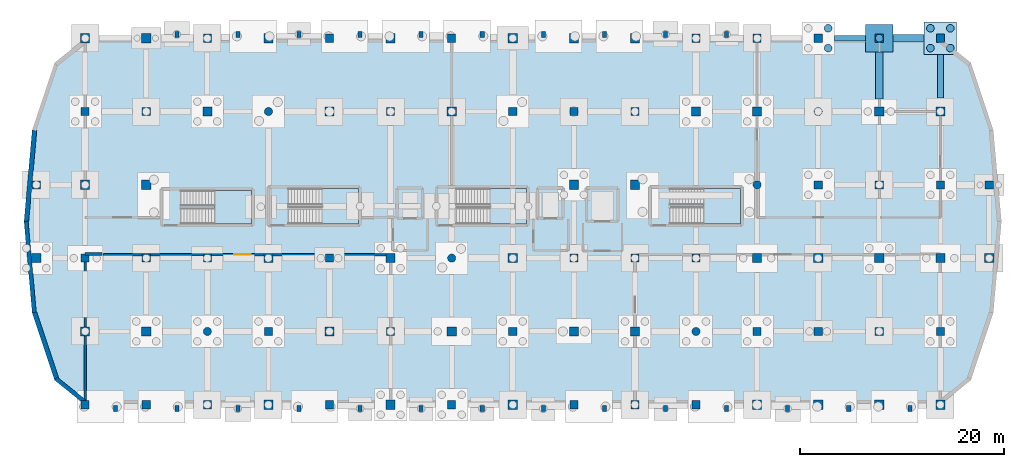
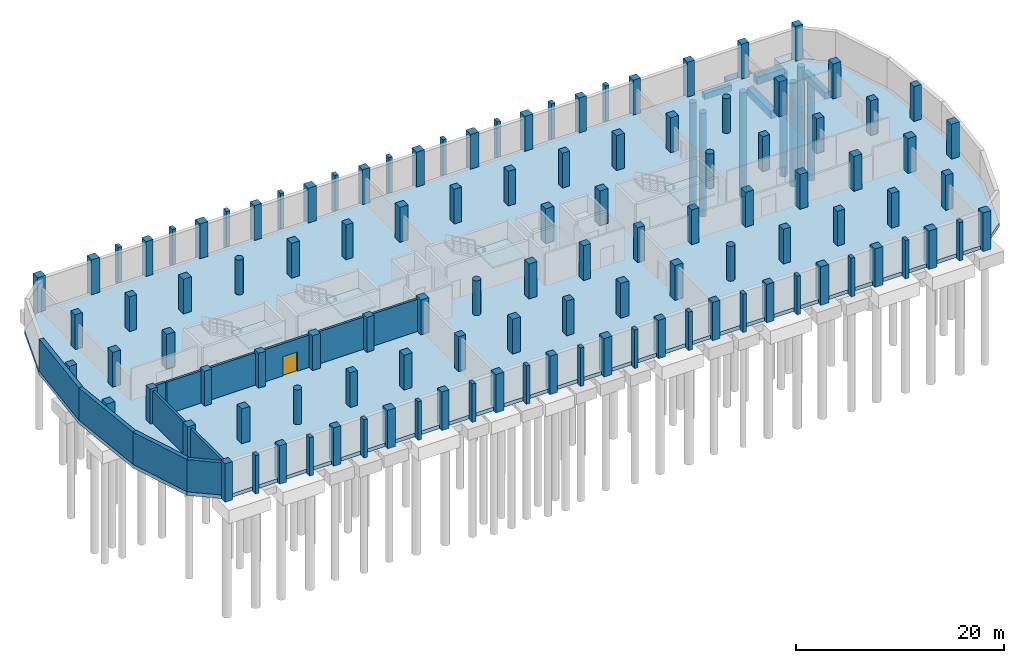
# One storey, part 5 of 11: 111 columns, 7 piles, 7 walls, 6 footings, 5 slabs, 1 door, 1 opening, 4 elements without a shape of their own.
"""IFC4 building model written with IfcOpenShell, lengths in metres."""

from ifc_helpers import new_model, si_unit, direction, frame, frame_2d, origin, origin_2d, place, context, subcontext, project, spatial, polyline, rectangle, circle, outline, extrude, material, layer, layer_set, material_profile, profile_set, type_object, element, fill, aggregate, save


model = new_model("IFC4")

# Units and contexts
model_context = context("Model", 3, precision=1e-05, world=origin(), true_north=direction((0.0, 1.0)))
body_context = subcontext(model_context, "Body", "Model", "MODEL_VIEW")
ifc_project = project(units=[si_unit("LENGTHUNIT", "METRE"), si_unit("AREAUNIT", "SQUARE_METRE"), si_unit("VOLUMEUNIT", "CUBIC_METRE"), si_unit("PLANEANGLEUNIT", "RADIAN"), si_unit("MASSUNIT", "GRAM", prefix="KILO")], contexts=[model_context])

# Site, building, storey
site_placement = place(None, origin())
site = spatial("IfcSite", under=ifc_project, at=site_placement, CompositionType="ELEMENT")
building_placement = place(site_placement, origin())
building = spatial("IfcBuilding", under=site, at=building_placement, Name="Dunvalen Ferry Terminal", CompositionType="ELEMENT")
storey_placement = place(building_placement, frame((0.0, 0.0, -4.080078125)))
storey = spatial("IfcBuildingStorey", under=building, at=storey_placement, Name="B1", CompositionType="ELEMENT", Elevation=-4.080078125)

# Footings
ifc_material_1 = material(Name="Concrete C40/50", Category="concrete")
ifc_material_profile_1 = material_profile(ifc_material_1, rectangle(XDim=0.5, YDim=0.699951171875, at=origin_2d()), Name="Concrete C40/50")
ifc_profile_set_1 = profile_set([ifc_material_profile_1], Name="Concrete C40/50")
footing_type_1 = type_object("IfcFootingType", Name="STR-GB-500x700", PredefinedType="FOOTING_BEAM", material=ifc_profile_set_1)
footing_1_placement = place(storey_placement, frame((79.60009765625, 36.0, -0.77001953125), z_axis=(1.0, 0.0, 0.0), x_axis=(0.0, 1.0, 0.0)))
element("IfcFooting", 1, at=footing_1_placement, inside=storey, type_object=footing_type_1, Name="B1 Ground Beam X-079", PredefinedType="FOOTING_BEAM", context=body_context, shape_type="SweptSolid", body=[
    extrude(rectangle(XDim=0.5, YDim=0.699951171875, at=origin_2d()), origin(), (0.0, 0.0, 1.0), 3.0498046875),
])
ifc_material_profile_2 = material_profile(ifc_material_1, rectangle(XDim=0.60009765625, YDim=0.800048828125, at=origin_2d()), Name="Concrete C40/50")
ifc_profile_set_2 = profile_set([ifc_material_profile_2], Name="Concrete C40/50")
footing_type_2 = type_object("IfcFootingType", Name="STR-GB-600x800", PredefinedType="FOOTING_BEAM", material=ifc_profile_set_2)
footing_2_placement = place(storey_placement, frame((90.0, 30.14990234375, -0.81982421875), z_axis=(0.0, 1.0, 0.0), x_axis=(-1.0, 0.0, 0.0)))
element("IfcFooting", 2, at=footing_2_placement, inside=storey, type_object=footing_type_2, Name="B1 Ground Beam Y-129", PredefinedType="FOOTING_BEAM", context=body_context, shape_type="SweptSolid", body=[
    extrude(rectangle(XDim=0.60009765625, YDim=0.800048828125, at=origin_2d()), origin(), (0.0, 0.0, 1.0), 4.25),
])
ifc_material_profile_3 = material_profile(ifc_material_1, rectangle(XDim=0.699951171875, YDim=0.89990234375, at=origin_2d()), Name="Concrete C40/50")
ifc_profile_set_3 = profile_set([ifc_material_profile_3], Name="Concrete C40/50")
footing_type_3 = type_object("IfcFootingType", Name="STR-GB-700x900", PredefinedType="FOOTING_BEAM", material=ifc_profile_set_3)
footing_3_placement = place(storey_placement, frame((85.35009765625, 36.0, -0.869873046875), z_axis=(1.0, 0.0, 0.0), x_axis=(0.0, 1.0, 0.0)))
element("IfcFooting", 3, at=footing_3_placement, inside=storey, type_object=footing_type_3, Name="B1 Ground Beam X-080", PredefinedType="FOOTING_BEAM", context=body_context, shape_type="SweptSolid", body=[
    extrude(rectangle(XDim=0.699951171875, YDim=0.89990234375, at=origin_2d()), origin(), (0.0, 0.0, 1.0), 3.0498046875),
])
footing_4_placement = place(storey_placement, frame((84.0, 30.050048828125, -0.869873046875), z_axis=(0.0, 1.0, 0.0), x_axis=(-1.0, 0.0, 0.0)))
element("IfcFooting", 4, at=footing_4_placement, inside=storey, type_object=footing_type_3, Name="B1 Ground Beam Y-124", PredefinedType="FOOTING_BEAM", context=body_context, shape_type="SweptSolid", body=[
    extrude(rectangle(XDim=0.699951171875, YDim=0.89990234375, at=origin_2d()), origin(), (0.0, 0.0, 1.0), 4.599853515625),
])
footing_type_4 = type_object("IfcFootingType", Name="STR-PC-06", PredefinedType="PILE_CAP", material=ifc_material_1)
footing_5_placement = place(storey_placement, frame((84.0, 36.0, -1.81982421875), z_axis=(0.0, 0.0, 1.0), x_axis=(1.0, 0.0, 0.0)))
element("IfcFooting", 5, at=footing_5_placement, inside=storey, type_object=footing_type_4, Name="B1 Pile Cap 094", PredefinedType="PILE_CAP", context=body_context, shape_type="SweptSolid", body=[
    extrude(rectangle(XDim=2.699951171875, YDim=2.699951171875, at=origin_2d()), origin(), (0.0, 0.0, 1.0), 1.39990234375),
])
footing_type_5 = type_object("IfcFootingType", Name="STR-PC-09", PredefinedType="PILE_CAP", material=ifc_material_1)
footing_6_placement = place(storey_placement, frame((90.0, 36.0, -1.8701171875), z_axis=(0.0, 0.0, 1.0), x_axis=(1.0, 0.0, 0.0)))
element("IfcFooting", 6, at=footing_6_placement, inside=storey, type_object=footing_type_5, Name="B1 Pile Cap 100", PredefinedType="PILE_CAP", context=body_context, shape_type="SweptSolid", body=[
    extrude(rectangle(XDim=3.199951171875, YDim=3.199951171875, at=origin_2d()), origin(), (0.0, 0.0, 1.0), 1.449951171875),
])

# Piles
ifc_material_profile_4 = material_profile(ifc_material_1, circle(Radius=0.375, at=origin_2d()), Name="Concrete C40/50")
ifc_profile_set_4 = profile_set([ifc_material_profile_4], Name="Concrete C40/50")
pile_type = type_object("IfcPileType", Name="STR-PILE-P750", PredefinedType="BORED", material=ifc_profile_set_4)
for number, where, z_axis, x_axis, name in (
    (7, (78.97509765625, 35.02490234375, -1.77001953125), (0.0, 0.0, -1.0), (1.0, 0.0, 0.0), "B1 Bored Pile 088.2"),
    (8, (78.97509765625, 36.97509765625, -1.77001953125), (0.0, 0.0, -1.0), (1.0, 0.0, 0.0), "B1 Bored Pile 088.4"),
):
    element("IfcPile", number, at=place(storey_placement, frame(where, z_axis=z_axis, x_axis=x_axis)), inside=storey, type_object=pile_type, Name=name, PredefinedType="BORED", context=body_context, shape_type="SweptSolid", body=[
        extrude(circle(Radius=0.375, at=origin_2d()), origin(), (0.0, 0.0, 1.0), 12.14990234375),
    ])
pile_placement = place(storey_placement, frame((84.0, 36.0, -1.719970703125), z_axis=(0.0, 0.0, -1.0), x_axis=(1.0, 0.0, 0.0)))
element("IfcPile", 9, at=pile_placement, inside=storey, type_object=pile_type, Name="B1 Bored Pile 094.1", PredefinedType="BORED", context=body_context, shape_type="SweptSolid", body=[
    extrude(circle(Radius=0.375, at=origin_2d()), origin(), (0.0, 0.0, 1.0), 12.199951171875),
])
for number, where, z_axis, x_axis, name in (
    (10, (89.02490234375, 35.02490234375, -1.77001953125), (0.0, 0.0, -1.0), (1.0, 0.0, 0.0), "B1 Bored Pile 100.1"),
    (11, (90.97509765625, 35.02490234375, -1.77001953125), (0.0, 0.0, -1.0), (1.0, 0.0, 0.0), "B1 Bored Pile 100.2"),
    (12, (89.02490234375, 36.97509765625, -1.77001953125), (0.0, 0.0, -1.0), (1.0, 0.0, 0.0), "B1 Bored Pile 100.3"),
    (13, (90.97509765625, 36.97509765625, -1.77001953125), (0.0, 0.0, -1.0), (1.0, 0.0, 0.0), "B1 Bored Pile 100.4"),
):
    element("IfcPile", number, at=place(storey_placement, frame(where, z_axis=z_axis, x_axis=x_axis)), inside=storey, type_object=pile_type, Name=name, PredefinedType="BORED", context=body_context, shape_type="SweptSolid", body=[
        extrude(circle(Radius=0.375, at=origin_2d()), origin(), (0.0, 0.0, 1.0), 12.14990234375),
    ])

# Columns
ifc_material_profile_5 = material_profile(ifc_material_1, circle(Radius=0.39990234375, at=origin_2d()), Name="Concrete C40/50")
ifc_profile_set_5 = profile_set([ifc_material_profile_5], Name="Concrete C40/50")
column_type_1 = type_object("IfcColumnType", Name="STR-COL-D800", PredefinedType="COLUMN", material=ifc_profile_set_5)
for number, where, z_axis, x_axis, name in (
    (14, (18.0, 7.199951171875, -0.419921875), (0.0, 0.0, 1.0), (1.0, 0.0, 0.0), "B1 Maritime Wing Column 014"),
    (15, (24.0, 28.800048828125, -0.419921875), (0.0, 0.0, 1.0), (1.0, 0.0, 0.0), "B1 Maritime Wing Column 021"),
    (16, (42.0, 14.39990234375, -0.419921875), (0.0, 0.0, 1.0), (1.0, 0.0, 0.0), "B1 Maritime Wing Column 035"),
    (17, (66.0, 7.199951171875, -0.419921875), (0.0, 0.0, 1.0), (1.0, 0.0, 0.0), "B1 Maritime Wing Column 056"),
    (18, (72.0, 21.60009765625, -0.419921875), (0.0, 0.0, 1.0), (1.0, 0.0, 0.0), "B1 Maritime Wing Column 063"),
    (19, (78.0, 28.800048828125, -0.419921875), (0.0, 0.0, 1.0), (1.0, 0.0, 0.0), "B1 Maritime Wing Column 070"),
):
    element("IfcColumn", number, at=place(storey_placement, frame(where, z_axis=z_axis, x_axis=x_axis)), inside=storey, type_object=column_type_1, Name=name, PredefinedType="COLUMN", context=body_context, shape_type="SweptSolid", body=[
        extrude(circle(Radius=0.39990234375, at=origin_2d()), origin(), (0.0, 0.0, 1.0), 4.5),
    ])
ifc_material_profile_6 = material_profile(ifc_material_1, rectangle(XDim=0.800048828125, YDim=0.800048828125, at=origin_2d()), Name="Concrete C40/50")
ifc_profile_set_6 = profile_set([ifc_material_profile_6], Name="Concrete C40/50")
column_type_2 = type_object("IfcColumnType", Name="STR-COL-RC800", PredefinedType="COLUMN", material=ifc_profile_set_6)
for number, where, z_axis, x_axis, name in (
    (20, (6.0, 0.0, -0.419921875), (0.0, 0.0, 1.0), (1.0, 0.0, 0.0), "B1 Maritime Wing Column 001"),
    (21, (6.0, 14.39990234375, -0.419921875), (0.0, 0.0, 1.0), (1.0, 0.0, 0.0), "B1 Maritime Wing Column 003"),
    (22, (6.0, 28.800048828125, -0.419921875), (0.0, 0.0, 1.0), (1.0, 0.0, 0.0), "B1 Maritime Wing Column 005"),
    (23, (12.0, 0.0, -0.419921875), (0.0, 0.0, 1.0), (1.0, 0.0, 0.0), "B1 Maritime Wing Column 007"),
    (24, (12.0, 14.39990234375, -0.419921875), (0.0, 0.0, 1.0), (1.0, 0.0, 0.0), "B1 Maritime Wing Column 009"),
    (25, (12.0, 28.800048828125, -0.419921875), (0.0, 0.0, 1.0), (1.0, 0.0, 0.0), "B1 Maritime Wing Column 011"),
    (26, (18.0, 0.0, -0.419921875), (0.0, 0.0, 1.0), (1.0, 0.0, 0.0), "B1 Maritime Wing Column 013"),
    (27, (18.0, 14.39990234375, -0.419921875), (0.0, 0.0, 1.0), (1.0, 0.0, 0.0), "B1 Maritime Wing Column 015"),
    (28, (18.0, 36.0, -0.419921875), (0.0, 0.0, 1.0), (1.0, 0.0, 0.0), "B1 Maritime Wing Column 017"),
    (29, (24.0, 7.199951171875, -0.419921875), (0.0, 0.0, 1.0), (1.0, 0.0, 0.0), "B1 Maritime Wing Column 019"),
    (30, (30.0, 0.0, -0.419921875), (0.0, 0.0, 1.0), (1.0, 0.0, 0.0), "B1 Maritime Wing Column 023"),
    (31, (30.0, 14.39990234375, -0.419921875), (0.0, 0.0, 1.0), (1.0, 0.0, 0.0), "B1 Maritime Wing Column 025"),
    (32, (30.0, 36.0, -0.419921875), (0.0, 0.0, 1.0), (1.0, 0.0, 0.0), "B1 Maritime Wing Column 027"),
    (33, (36.0, 7.199951171875, -0.419921875), (0.0, 0.0, 1.0), (1.0, 0.0, 0.0), "B1 Maritime Wing Column 029"),
    (34, (36.0, 28.800048828125, -0.419921875), (0.0, 0.0, 1.0), (1.0, 0.0, 0.0), "B1 Maritime Wing Column 031"),
    (35, (42.0, 0.0, -0.419921875), (0.0, 0.0, 1.0), (1.0, 0.0, 0.0), "B1 Maritime Wing Column 033"),
    (36, (42.0, 36.0, -0.419921875), (0.0, 0.0, 1.0), (1.0, 0.0, 0.0), "B1 Maritime Wing Column 037"),
    (37, (48.0, 7.199951171875, -0.419921875), (0.0, 0.0, 1.0), (1.0, 0.0, 0.0), "B1 Maritime Wing Column 039"),
    (38, (48.0, 28.800048828125, -0.419921875), (0.0, 0.0, 1.0), (1.0, 0.0, 0.0), "B1 Maritime Wing Column 041"),
    (39, (54.0, 0.0, -0.419921875), (0.0, 0.0, 1.0), (1.0, 0.0, 0.0), "B1 Maritime Wing Column 043"),
    (40, (54.0, 14.39990234375, -0.419921875), (0.0, 0.0, 1.0), (1.0, 0.0, 0.0), "B1 Maritime Wing Column 045"),
    (41, (54.0, 28.800048828125, -0.419921875), (0.0, 0.0, 1.0), (1.0, 0.0, 0.0), "B1 Maritime Wing Column 047"),
    (42, (60.0, 0.0, -0.419921875), (0.0, 0.0, 1.0), (1.0, 0.0, 0.0), "B1 Maritime Wing Column 049"),
    (43, (60.0, 14.39990234375, -0.419921875), (0.0, 0.0, 1.0), (1.0, 0.0, 0.0), "B1 Maritime Wing Column 051"),
    (44, (60.0, 28.800048828125, -0.419921875), (0.0, 0.0, 1.0), (1.0, 0.0, 0.0), "B1 Maritime Wing Column 053"),
    (45, (66.0, 0.0, -0.419921875), (0.0, 0.0, 1.0), (1.0, 0.0, 0.0), "B1 Maritime Wing Column 055"),
    (46, (66.0, 14.39990234375, -0.419921875), (0.0, 0.0, 1.0), (1.0, 0.0, 0.0), "B1 Maritime Wing Column 057"),
    (47, (66.0, 36.0, -0.419921875), (0.0, 0.0, 1.0), (1.0, 0.0, 0.0), "B1 Maritime Wing Column 059"),
    (48, (72.0, 7.199951171875, -0.419921875), (0.0, 0.0, 1.0), (1.0, 0.0, 0.0), "B1 Maritime Wing Column 061"),
    (49, (72.0, 36.0, -0.419921875), (0.0, 0.0, 1.0), (1.0, 0.0, 0.0), "B1 Maritime Wing Column 065"),
    (50, (78.0, 7.199951171875, -0.419921875), (0.0, 0.0, 1.0), (1.0, 0.0, 0.0), "B1 Maritime Wing Column 067"),
    (51, (78.0, 21.60009765625, -0.419921875), (0.0, 0.0, 1.0), (1.0, 0.0, 0.0), "B1 Maritime Wing Column 069"),
    (52, (78.0, 36.0, -0.419921875), (0.0, 0.0, 1.0), (1.0, 0.0, 0.0), "B1 Maritime Wing Column 071"),
    (53, (84.0, 7.199951171875, -0.419921875), (0.0, 0.0, 1.0), (1.0, 0.0, 0.0), "B1 Maritime Wing Column 073"),
    (54, (84.0, 21.60009765625, -0.419921875), (0.0, 0.0, 1.0), (1.0, 0.0, 0.0), "B1 Maritime Wing Column 075"),
    (55, (84.0, 36.0, -0.419921875), (0.0, 0.0, 1.0), (1.0, 0.0, 0.0), "B1 Maritime Wing Column 077"),
    (56, (90.0, 7.199951171875, -0.419921875), (0.0, 0.0, 1.0), (1.0, 0.0, 0.0), "B1 Maritime Wing Column 079"),
    (57, (90.0, 21.60009765625, -0.419921875), (0.0, 0.0, 1.0), (1.0, 0.0, 0.0), "B1 Maritime Wing Column 081"),
    (58, (90.0, 36.0, -0.419921875), (0.0, 0.0, 1.0), (1.0, 0.0, 0.0), "B1 Maritime Wing Column 083"),
    (59, (1.199951171875, 21.60009765625, -0.419921875), (0.0, 0.0, 1.0), (1.0, 0.0, 0.0), "B1 Maritime Wing Column 085"),
    (60, (94.800048828125, 21.60009765625, -0.419921875), (0.0, 0.0, 1.0), (1.0, 0.0, 0.0), "B1 Maritime Wing Column 087"),
):
    element("IfcColumn", number, at=place(storey_placement, frame(where, z_axis=z_axis, x_axis=x_axis)), inside=storey, type_object=column_type_2, Name=name, PredefinedType="COLUMN", context=body_context, shape_type="SweptSolid", body=[
        extrude(rectangle(XDim=0.800048828125, YDim=0.800048828125, at=origin_2d()), origin(), (0.0, 0.0, 1.0), 4.5),
    ])
ifc_material_profile_7 = material_profile(ifc_material_1, rectangle(XDim=0.89990234375, YDim=0.89990234375, at=origin_2d()), Name="Concrete C40/50")
ifc_profile_set_7 = profile_set([ifc_material_profile_7], Name="Concrete C40/50")
column_type_3 = type_object("IfcColumnType", Name="STR-COL-RC900", PredefinedType="COLUMN", material=ifc_profile_set_7)
for number, where, z_axis, x_axis, name in (
    (61, (6.0, 7.199951171875, -0.419921875), (0.0, 0.0, 1.0), (1.0, 0.0, 0.0), "B1 Maritime Wing Column 002"),
    (62, (6.0, 21.60009765625, -0.419921875), (0.0, 0.0, 1.0), (1.0, 0.0, 0.0), "B1 Maritime Wing Column 004"),
    (63, (6.0, 36.0, -0.419921875), (0.0, 0.0, 1.0), (1.0, 0.0, 0.0), "B1 Maritime Wing Column 006"),
    (64, (12.0, 7.199951171875, -0.419921875), (0.0, 0.0, 1.0), (1.0, 0.0, 0.0), "B1 Maritime Wing Column 008"),
    (65, (12.0, 21.60009765625, -0.419921875), (0.0, 0.0, 1.0), (1.0, 0.0, 0.0), "B1 Maritime Wing Column 010"),
    (66, (12.0, 36.0, -0.419921875), (0.0, 0.0, 1.0), (1.0, 0.0, 0.0), "B1 Maritime Wing Column 012"),
    (67, (18.0, 28.800048828125, -0.419921875), (0.0, 0.0, 1.0), (1.0, 0.0, 0.0), "B1 Maritime Wing Column 016"),
    (68, (24.0, 0.0, -0.419921875), (0.0, 0.0, 1.0), (1.0, 0.0, 0.0), "B1 Maritime Wing Column 018"),
    (69, (24.0, 14.39990234375, -0.419921875), (0.0, 0.0, 1.0), (1.0, 0.0, 0.0), "B1 Maritime Wing Column 020"),
    (70, (24.0, 36.0, -0.419921875), (0.0, 0.0, 1.0), (1.0, 0.0, 0.0), "B1 Maritime Wing Column 022"),
    (71, (30.0, 7.199951171875, -0.419921875), (0.0, 0.0, 1.0), (1.0, 0.0, 0.0), "B1 Maritime Wing Column 024"),
    (72, (30.0, 28.800048828125, -0.419921875), (0.0, 0.0, 1.0), (1.0, 0.0, 0.0), "B1 Maritime Wing Column 026"),
    (73, (36.0, 0.0, -0.419921875), (0.0, 0.0, 1.0), (1.0, 0.0, 0.0), "B1 Maritime Wing Column 028"),
    (74, (36.0, 14.39990234375, -0.419921875), (0.0, 0.0, 1.0), (1.0, 0.0, 0.0), "B1 Maritime Wing Column 030"),
    (75, (36.0, 36.0, -0.419921875), (0.0, 0.0, 1.0), (1.0, 0.0, 0.0), "B1 Maritime Wing Column 032"),
    (76, (42.0, 7.199951171875, -0.419921875), (0.0, 0.0, 1.0), (1.0, 0.0, 0.0), "B1 Maritime Wing Column 034"),
    (77, (42.0, 28.800048828125, -0.419921875), (0.0, 0.0, 1.0), (1.0, 0.0, 0.0), "B1 Maritime Wing Column 036"),
    (78, (48.0, 0.0, -0.419921875), (0.0, 0.0, 1.0), (1.0, 0.0, 0.0), "B1 Maritime Wing Column 038"),
    (79, (48.0, 14.39990234375, -0.419921875), (0.0, 0.0, 1.0), (1.0, 0.0, 0.0), "B1 Maritime Wing Column 040"),
    (80, (48.0, 36.0, -0.419921875), (0.0, 0.0, 1.0), (1.0, 0.0, 0.0), "B1 Maritime Wing Column 042"),
    (81, (54.0, 7.199951171875, -0.419921875), (0.0, 0.0, 1.0), (1.0, 0.0, 0.0), "B1 Maritime Wing Column 044"),
    (82, (54.0, 21.60009765625, -0.419921875), (0.0, 0.0, 1.0), (1.0, 0.0, 0.0), "B1 Maritime Wing Column 046"),
    (83, (54.0, 36.0, -0.419921875), (0.0, 0.0, 1.0), (1.0, 0.0, 0.0), "B1 Maritime Wing Column 048"),
    (84, (60.0, 7.199951171875, -0.419921875), (0.0, 0.0, 1.0), (1.0, 0.0, 0.0), "B1 Maritime Wing Column 050"),
    (85, (60.0, 21.60009765625, -0.419921875), (0.0, 0.0, 1.0), (1.0, 0.0, 0.0), "B1 Maritime Wing Column 052"),
    (86, (60.0, 36.0, -0.419921875), (0.0, 0.0, 1.0), (1.0, 0.0, 0.0), "B1 Maritime Wing Column 054"),
    (87, (66.0, 28.800048828125, -0.419921875), (0.0, 0.0, 1.0), (1.0, 0.0, 0.0), "B1 Maritime Wing Column 058"),
    (88, (72.0, 0.0, -0.419921875), (0.0, 0.0, 1.0), (1.0, 0.0, 0.0), "B1 Maritime Wing Column 060"),
    (89, (72.0, 14.39990234375, -0.419921875), (0.0, 0.0, 1.0), (1.0, 0.0, 0.0), "B1 Maritime Wing Column 062"),
    (90, (72.0, 28.800048828125, -0.419921875), (0.0, 0.0, 1.0), (1.0, 0.0, 0.0), "B1 Maritime Wing Column 064"),
    (91, (78.0, 0.0, -0.419921875), (0.0, 0.0, 1.0), (1.0, 0.0, 0.0), "B1 Maritime Wing Column 066"),
    (92, (78.0, 14.39990234375, -0.419921875), (0.0, 0.0, 1.0), (1.0, 0.0, 0.0), "B1 Maritime Wing Column 068"),
    (93, (84.0, 0.0, -0.419921875), (0.0, 0.0, 1.0), (1.0, 0.0, 0.0), "B1 Maritime Wing Column 072"),
    (94, (84.0, 14.39990234375, -0.419921875), (0.0, 0.0, 1.0), (1.0, 0.0, 0.0), "B1 Maritime Wing Column 074"),
    (95, (84.0, 28.800048828125, -0.419921875), (0.0, 0.0, 1.0), (1.0, 0.0, 0.0), "B1 Maritime Wing Column 076"),
    (96, (90.0, 0.0, -0.419921875), (0.0, 0.0, 1.0), (1.0, 0.0, 0.0), "B1 Maritime Wing Column 078"),
    (97, (90.0, 14.39990234375, -0.419921875), (0.0, 0.0, 1.0), (1.0, 0.0, 0.0), "B1 Maritime Wing Column 080"),
    (98, (90.0, 28.800048828125, -0.419921875), (0.0, 0.0, 1.0), (1.0, 0.0, 0.0), "B1 Maritime Wing Column 082"),
    (99, (1.199951171875, 14.39990234375, -0.419921875), (0.0, 0.0, 1.0), (1.0, 0.0, 0.0), "B1 Maritime Wing Column 084"),
    (100, (94.800048828125, 14.39990234375, -0.419921875), (0.0, 0.0, 1.0), (1.0, 0.0, 0.0), "B1 Maritime Wing Column 086"),
):
    element("IfcColumn", number, at=place(storey_placement, frame(where, z_axis=z_axis, x_axis=x_axis)), inside=storey, type_object=column_type_3, Name=name, PredefinedType="COLUMN", context=body_context, shape_type="SweptSolid", body=[
        extrude(rectangle(XDim=0.89990234375, YDim=0.89990234375, at=origin_2d()), origin(), (0.0, 0.0, 1.0), 4.5),
    ])
ifc_material_profile_8 = material_profile(ifc_material_1, rectangle(XDim=0.39990234375, YDim=0.60009765625, at=origin_2d()), Name="Concrete C40/50")
ifc_profile_set_8 = profile_set([ifc_material_profile_8], Name="Concrete C40/50")
column_type_4 = type_object("IfcColumnType", Name="STR-PIL-400x600", PredefinedType="PILASTER", material=ifc_profile_set_8)
for number, where, z_axis, x_axis, name in (
    (101, (9.0, -0.3798828125, -0.419921875), (0.0, 0.0, 1.0), (1.0, 0.0, 0.0), "B1 South Forecourt Pilaster 01"),
    (102, (15.0, -0.3798828125, -0.419921875), (0.0, 0.0, 1.0), (1.0, 0.0, 0.0), "B1 South Forecourt Pilaster 02"),
    (103, (21.0, -0.3798828125, -0.419921875), (0.0, 0.0, 1.0), (1.0, 0.0, 0.0), "B1 South Forecourt Pilaster 03"),
    (104, (27.0, -0.3798828125, -0.419921875), (0.0, 0.0, 1.0), (1.0, 0.0, 0.0), "B1 South Forecourt Pilaster 04"),
    (105, (33.0, -0.3798828125, -0.419921875), (0.0, 0.0, 1.0), (1.0, 0.0, 0.0), "B1 South Forecourt Pilaster 05"),
    (106, (39.0, -0.3798828125, -0.419921875), (0.0, 0.0, 1.0), (1.0, 0.0, 0.0), "B1 South Forecourt Pilaster 06"),
    (107, (45.0, -0.3798828125, -0.419921875), (0.0, 0.0, 1.0), (1.0, 0.0, 0.0), "B1 South Forecourt Pilaster 07"),
    (108, (51.0, -0.3798828125, -0.419921875), (0.0, 0.0, 1.0), (1.0, 0.0, 0.0), "B1 South Forecourt Pilaster 08"),
    (109, (57.0, -0.3798828125, -0.419921875), (0.0, 0.0, 1.0), (1.0, 0.0, 0.0), "B1 South Forecourt Pilaster 09"),
    (110, (63.0, -0.3798828125, -0.419921875), (0.0, 0.0, 1.0), (1.0, 0.0, 0.0), "B1 South Forecourt Pilaster 10"),
    (111, (69.0, -0.3798828125, -0.419921875), (0.0, 0.0, 1.0), (1.0, 0.0, 0.0), "B1 South Forecourt Pilaster 11"),
    (112, (75.0, -0.3798828125, -0.419921875), (0.0, 0.0, 1.0), (1.0, 0.0, 0.0), "B1 South Forecourt Pilaster 12"),
    (113, (81.0, -0.3798828125, -0.419921875), (0.0, 0.0, 1.0), (1.0, 0.0, 0.0), "B1 South Forecourt Pilaster 13"),
    (114, (87.0, -0.3798828125, -0.419921875), (0.0, 0.0, 1.0), (1.0, 0.0, 0.0), "B1 South Forecourt Pilaster 14"),
    (115, (15.0, 36.3798828125, -0.419921875), (0.0, 0.0, 1.0), (1.0, 0.0, 0.0), "B1 North Passage Pilaster 01"),
    (116, (21.0, 36.3798828125, -0.419921875), (0.0, 0.0, 1.0), (1.0, 0.0, 0.0), "B1 North Passage Pilaster 02"),
    (117, (27.0, 36.3798828125, -0.419921875), (0.0, 0.0, 1.0), (1.0, 0.0, 0.0), "B1 North Passage Pilaster 03"),
    (118, (33.0, 36.3798828125, -0.419921875), (0.0, 0.0, 1.0), (1.0, 0.0, 0.0), "B1 North Passage Pilaster 04"),
    (119, (39.0, 36.3798828125, -0.419921875), (0.0, 0.0, 1.0), (1.0, 0.0, 0.0), "B1 North Passage Pilaster 05"),
    (120, (45.0, 36.3798828125, -0.419921875), (0.0, 0.0, 1.0), (1.0, 0.0, 0.0), "B1 North Passage Pilaster 06"),
    (121, (51.0, 36.3798828125, -0.419921875), (0.0, 0.0, 1.0), (1.0, 0.0, 0.0), "B1 North Passage Pilaster 07"),
    (122, (57.0, 36.3798828125, -0.419921875), (0.0, 0.0, 1.0), (1.0, 0.0, 0.0), "B1 North Passage Pilaster 08"),
    (123, (63.0, 36.3798828125, -0.419921875), (0.0, 0.0, 1.0), (1.0, 0.0, 0.0), "B1 North Passage Pilaster 09"),
    (124, (69.0, 36.3798828125, -0.419921875), (0.0, 0.0, 1.0), (1.0, 0.0, 0.0), "B1 North Passage Pilaster 10"),
):
    element("IfcColumn", number, at=place(storey_placement, frame(where, z_axis=z_axis, x_axis=x_axis)), inside=storey, type_object=column_type_4, Name=name, PredefinedType="PILASTER", context=body_context, shape_type="SweptSolid", body=[
        extrude(rectangle(XDim=0.39990234375, YDim=0.60009765625, at=origin_2d()), origin(), (0.0, 0.0, 1.0), 4.5),
    ])

# Stair, slab
ifc_material_2 = material(Name="Concrete C35/45", Category="concrete")
stair_type_1 = type_object("IfcStairType", Name="INT-ST-DLG-06", PredefinedType="HALF_TURN_STAIR", material=ifc_material_2)
stair_1_placement = place(storey_placement, origin())
stair_1 = element("IfcStair", 125, at=stair_1_placement, inside=storey, type_object=stair_type_1, Name="B1 Protected Escape Stair 1", PredefinedType="HALF_TURN_STAIR")
ifc_layer_1 = layer(ifc_material_2, 0.199951171875, Name="Concrete C35/45")
ifc_layer_set_1 = layer_set([ifc_layer_1], Name="Concrete C35/45")
slab_type_1 = type_object("IfcSlabType", Name="INT-SLB-LND200", PredefinedType="LANDING", material=ifc_layer_set_1)
slab_1_placement = place(storey_placement, frame((0.0, 0.0, 1.840087890625)))
slab_1 = element("IfcSlab", 126, at=slab_1_placement, type_object=slab_type_1, Name="ST1 landing 1", PredefinedType="LANDING", context=body_context, shape_type="SweptSolid", body=[
    extrude(outline(polyline([(29.25, 17.75), (32.85009765625, 17.75), (32.85009765625, 21.25), (29.25, 21.25), (29.25, 17.75)])), origin(), (0.0, 0.0, 1.0), 0.199951171875),
])
aggregate(stair_1, [slab_1])

stair_2_placement = place(storey_placement, origin())
stair_2 = element("IfcStair", 127, at=stair_2_placement, inside=storey, type_object=stair_type_1, Name="B1 Protected Escape Stair 2", PredefinedType="HALF_TURN_STAIR")
slab_2_placement = place(storey_placement, frame((0.0, 0.0, 1.840087890625)))
slab_2 = element("IfcSlab", 128, at=slab_2_placement, type_object=slab_type_1, Name="ST2 landing 1", PredefinedType="LANDING", context=body_context, shape_type="SweptSolid", body=[
    extrude(outline(polyline([(45.75, 17.75), (49.35009765625, 17.75), (49.35009765625, 21.25), (45.75, 21.25), (45.75, 17.75)])), origin(), (0.0, 0.0, 1.0), 0.199951171875),
])
aggregate(stair_2, [slab_2])

stair_3_placement = place(storey_placement, origin())
stair_3 = element("IfcStair", 129, at=stair_3_placement, inside=storey, type_object=stair_type_1, Name="B1 Protected Escape Stair 3", PredefinedType="HALF_TURN_STAIR")
slab_3_placement = place(storey_placement, frame((0.0, 0.0, 1.840087890625)))
slab_3 = element("IfcSlab", 130, at=slab_3_placement, type_object=slab_type_1, Name="ST3 landing 1", PredefinedType="LANDING", context=body_context, shape_type="SweptSolid", body=[
    extrude(outline(polyline([(66.75, 17.75), (70.35009765625, 17.75), (70.35009765625, 21.25), (66.75, 21.25), (66.75, 17.75)])), origin(), (0.0, 0.0, 1.0), 0.199951171875),
])
aggregate(stair_3, [slab_3])

stair_type_2 = type_object("IfcStairType", Name="INT-ST-DLG-03", PredefinedType="HALF_TURN_STAIR", material=ifc_material_2)
stair_4_placement = place(storey_placement, origin())
stair_4 = element("IfcStair", 131, at=stair_4_placement, inside=storey, type_object=stair_type_2, Name="B1 Protected Escape Stair 5", PredefinedType="HALF_TURN_STAIR")
slab_4_placement = place(storey_placement, frame((0.0, 0.0, 1.840087890625)))
slab_4 = element("IfcSlab", 132, at=slab_4_placement, type_object=slab_type_1, Name="ST5 landing 1", PredefinedType="LANDING", context=body_context, shape_type="SweptSolid", body=[
    extrude(outline(polyline([(18.699951171875, 17.75), (22.35009765625, 17.75), (22.35009765625, 21.050048828125), (18.699951171875, 21.050048828125), (18.699951171875, 17.75)])), origin(), (0.0, 0.0, 1.0), 0.199951171875),
])
aggregate(stair_4, [slab_4])

# Slab
ifc_layer_2 = layer(ifc_material_1, 0.419921875, Name="Concrete C40/50")
ifc_layer_set_2 = layer_set([ifc_layer_2], Name="Concrete C40/50")
slab_type_2 = type_object("IfcSlabType", Name="STR-SLB-RAFT420", PredefinedType="BASESLAB", material=ifc_layer_set_2)
slab_5_placement = place(storey_placement, frame((0.0, 0.0, -0.419921875)))
element("IfcSlab", 133, at=slab_5_placement, inside=storey, type_object=slab_type_2, Name="B1 Maritime Wing Watertight Raft Slab", PredefinedType="BASESLAB", context=body_context, shape_type="SweptSolid", body=[
    extrude(outline(polyline([(6.0, 0.0), (90.0, 0.0), (93.0, 2.41162109375), (95.1962890625, 9.0), (96.0, 18.0), (95.1962890625, 27.0), (93.0, 33.58837890625), (90.0, 36.0), (6.0, 36.0), (3.0, 33.58837890625), (0.8037109375, 27.0), (0.0, 18.0), (0.8037109375, 9.0), (3.0, 2.41162109375), (6.0, 0.0)])), origin(), (0.0, 0.0, 1.0), 0.419921875),
])

# Wall
ifc_layer_3 = layer(ifc_material_2, 0.260009765625, Name="Concrete C35/45")
ifc_layer_set_3 = layer_set([ifc_layer_3], Name="Concrete C35/45")
wall_type_1 = type_object("IfcWallType", Name="INT-WL-CMP260", PredefinedType="SOLIDWALL", material=ifc_layer_set_3)
wall_1_placement = place(storey_placement, frame((6.0, 14.800048828125, 0.0), z_axis=(0.0, 0.0, 1.0), x_axis=(0.0, -1.0, 0.0)))
element("IfcWall", 134, at=wall_1_placement, inside=storey, type_object=wall_type_1, Name="B1 B1 Terminal Marine Heat-Pump Plant Room Partition 1", PredefinedType="SOLIDWALL", context=body_context, shape_type="SweptSolid", body=[
    extrude(rectangle(XDim=14.517822265625, YDim=0.260009765625, at=frame_2d((7.2587890625, 0.0))), origin(), (0.0, 0.0, 1.0), 3.780029296875),
])

# Wall, opening, door
wall_2_placement = place(storey_placement, frame((36.0, 14.739990234375, 0.0), z_axis=(0.0, 0.0, 1.0), x_axis=(-1.0, 0.0, 0.0)))
wall_2 = element("IfcWall", 135, at=wall_2_placement, inside=storey, type_object=wall_type_1, Name="B1 B1 Terminal Marine Heat-Pump Plant Room Partition 5", PredefinedType="SOLIDWALL", context=body_context, shape_type="SweptSolid", body=[
    extrude(rectangle(XDim=28.199951171875, YDim=0.260009765625, at=frame_2d((14.10009765625, 0.0))), origin(), (0.0, 0.0, 1.0), 3.780029296875),
])
opening_placement = place(wall_2_placement, frame((13.752197265625, 0.0, 0.0)))
opening = element("IfcOpeningElement", 136, at=opening_placement, cuts=wall_2, Name="Opening ID-05", PredefinedType="OPENING", context=body_context, shape_type="SweptSolid", body=[
    extrude(rectangle(XDim=1.60009765625, YDim=2.25, at=frame_2d((0.800048828125, 1.125))), frame((0.0, 0.14013671875, 0.0), z_axis=(0.0, -1.0, 0.0), x_axis=(1.0, 0.0, 0.0)), (0.0, 0.0, 1.0), 0.280029296875),
])
ifc_material_3 = material(Name="Galvanised acoustic steel fire door", Category="steel")
door_type = type_object("IfcDoorType", Name="INT-DR-PLT-1600", OperationType="DOUBLE_SWING_LEFT", PredefinedType="DOOR", material=ifc_material_3)
door_placement = place(opening_placement, origin())
door = element("IfcDoor", 137, at=door_placement, inside=storey, type_object=door_type, Name="B1 Terminal Marine Heat-Pump Plant Room Door", OperationType="DOUBLE_SWING_LEFT", OverallHeight=2.25, OverallWidth=1.60009765625, PredefinedType="DOOR", context=body_context, shape_type="SweptSolid", body=[
    extrude(rectangle(XDim=1.60009765625, YDim=2.25, at=frame_2d((0.800048828125, 1.125))), frame((0.0, 0.02490234375, 0.0), z_axis=(0.0, -1.0, 0.0), x_axis=(1.0, 0.0, 0.0)), (0.0, 0.0, 1.0), 0.050048828125),
])
fill(opening, door)

# Walls
wall_3_placement = place(storey_placement, frame((7.67529296875, 14.800048828125, 0.0), z_axis=(0.0, 0.0, 1.0), x_axis=(-1.0, 0.0, 0.0)))
element("IfcWall", 138, at=wall_3_placement, inside=storey, type_object=wall_type_1, Name="B1 B1 Terminal Marine Heat-Pump Plant Room Partition 7", PredefinedType="SOLIDWALL", context=body_context, shape_type="SweptSolid", body=[
    extrude(rectangle(XDim=1.67529296875, YDim=0.260009765625, at=frame_2d((0.837646484375, 0.0))), origin(), (0.0, 0.0, 1.0), 3.780029296875),
])
ifc_layer_4 = layer(ifc_material_1, 0.39990234375, Name="Concrete C40/50")
ifc_layer_set_4 = layer_set([ifc_layer_4], Name="Concrete C40/50")
wall_type_2 = type_object("IfcWallType", Name="STR-WL-RET400", PredefinedType="USERDEFINED", material=ifc_layer_set_4)
wall_4_placement = place(storey_placement, frame((0.19921875, 18.017822265625, 0.0), z_axis=(0.0, 0.0, 1.0), x_axis=(0.088947255406, -0.996036337568, 0.0)))
element("IfcWall", 139, at=wall_4_placement, inside=storey, type_object=wall_type_2, Name="B1 Perimeter Retaining Wall 12", ObjectType="RETAINING WALL", PredefinedType="USERDEFINED", context=body_context, shape_type="SweptSolid", body=[
    extrude(rectangle(XDim=9.035888671875, YDim=0.39990234375, at=frame_2d((4.51806640625, 0.0))), origin(), (0.0, 0.0, 1.0), 3.780029296875),
])
wall_5_placement = place(storey_placement, frame((3.125244140625, 2.5673828125, 0.0), z_axis=(0.0, 0.0, 1.0), x_axis=(0.779424862758, -0.626495716916, 0.0)))
element("IfcWall", 140, at=wall_5_placement, inside=storey, type_object=wall_type_2, Name="B1 Perimeter Retaining Wall 14", ObjectType="RETAINING WALL", PredefinedType="USERDEFINED", context=body_context, shape_type="SweptSolid", body=[
    extrude(rectangle(XDim=3.848876953125, YDim=0.39990234375, at=frame_2d((1.92431640625, 0.0))), origin(), (0.0, 0.0, 1.0), 3.780029296875),
])
ifc_layer_5 = layer(ifc_material_1, 0.449951171875, Name="Concrete C40/50")
ifc_layer_set_5 = layer_set([ifc_layer_5], Name="Concrete C40/50")
wall_type_3 = type_object("IfcWallType", Name="STR-WL-RET450", PredefinedType="USERDEFINED", material=ifc_layer_set_5)
wall_6_placement = place(storey_placement, frame((1.02783203125, 26.97998046875, 0.0), z_axis=(0.0, 0.0, 1.0), x_axis=(-0.088947255406, -0.996036337568, 0.0)))
element("IfcWall", 141, at=wall_6_placement, inside=storey, type_object=wall_type_3, Name="B1 Perimeter Retaining Wall 11", ObjectType="RETAINING WALL", PredefinedType="USERDEFINED", context=body_context, shape_type="SweptSolid", body=[
    extrude(rectangle(XDim=9.035888671875, YDim=0.449951171875, at=frame_2d((4.51806640625, 0.0))), origin(), (0.0, 0.0, 1.0), 3.780029296875),
])
wall_7_placement = place(storey_placement, frame((1.017333984375, 9.0712890625, 0.0), z_axis=(0.0, 0.0, 1.0), x_axis=(0.316206673776, -0.948690328537, 0.0)))
element("IfcWall", 142, at=wall_7_placement, inside=storey, type_object=wall_type_3, Name="B1 Perimeter Retaining Wall 13", ObjectType="RETAINING WALL", PredefinedType="USERDEFINED", context=body_context, shape_type="SweptSolid", body=[
    extrude(rectangle(XDim=6.945068359375, YDim=0.449951171875, at=frame_2d((3.47265625, 0.0))), origin(), (0.0, 0.0, 1.0), 3.780029296875),
])

save(model, "model.ifc")
